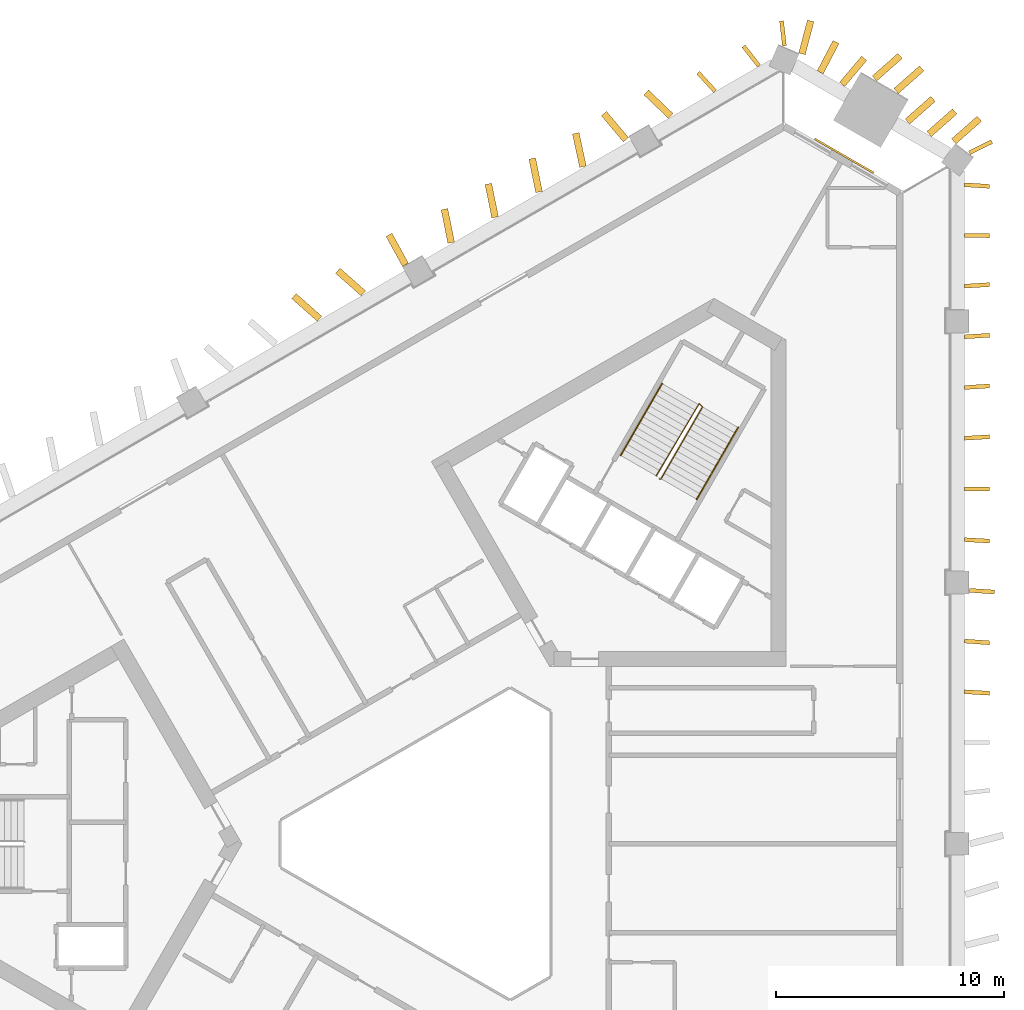
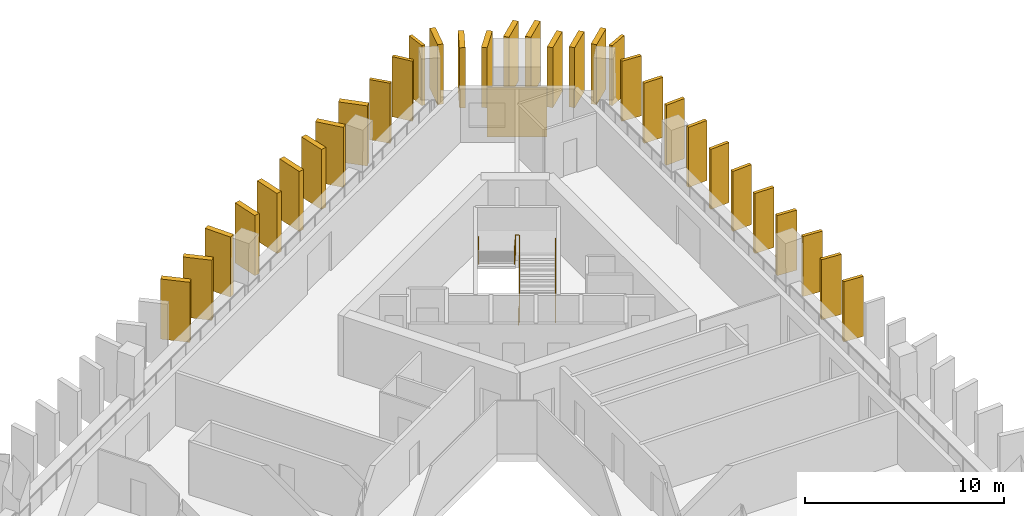
# One storey, part 10 of 10: 32 shading devices, 3 railings, 1 covering.
"""IFC4 building model written with IfcOpenShell, lengths in metres."""

from ifc_helpers import new_model, si_unit, direction, frame, frame_2d, origin, origin_2d, place, context, subcontext, project, spatial, rectangle, circle, extrude, material, layer, layer_set, type_object, element, save


model = new_model("IFC4")

# Units and contexts
model_context = context("Model", 3, precision=1e-05, world=origin(), true_north=direction((0.0, 1.0)))
body_context = subcontext(model_context, "Body", "Model", "MODEL_VIEW")
ifc_project = project(units=[si_unit("LENGTHUNIT", "METRE"), si_unit("AREAUNIT", "SQUARE_METRE"), si_unit("VOLUMEUNIT", "CUBIC_METRE"), si_unit("PLANEANGLEUNIT", "RADIAN"), si_unit("MASSUNIT", "GRAM", prefix="KILO")], contexts=[model_context])

# Site, building, storey
site_placement = place(None, origin())
site = spatial("IfcSite", under=ifc_project, at=site_placement, CompositionType="ELEMENT")
building_placement = place(site_placement, origin())
building = spatial("IfcBuilding", under=site, at=building_placement, Name="Jabali Bay Hotel Tower and Convention Centre", CompositionType="ELEMENT")
storey_placement = place(building_placement, frame((0.0, 0.0, 110.5)))
storey = spatial("IfcBuildingStorey", under=building, at=storey_placement, Name="L26", CompositionType="ELEMENT", Elevation=110.5)

# Shading devices
ifc_material_1 = material(Name="Precast concrete C60", Category="concrete")
ifc_layer_1 = layer(ifc_material_1, 0.179931640625)
ifc_layer_set_1 = layer_set([ifc_layer_1], Name="Precast concrete C60")
shading_device_type_1 = type_object("IfcShadingDeviceType", Name="Precast fin 3680 x 1100", PredefinedType="USERDEFINED", material=ifc_layer_set_1)
for number, where, z_axis, x_axis, name in (
    (1, (97.72265625, 86.677490234375, 0.010009765625), (0.0, 0.0, 1.0), (0.998162399296, -0.060595582612, 0.0), "Fin L26 016"),
    (2, (97.7236328125, 88.9033203125, 0.010009765625), (0.0, 0.0, 1.0), (0.997458699831, -0.071247049988, 0.0), "Fin L26 017"),
    (3, (97.930908203125, 91.129150390625, 0.010009765625), (0.0, 0.0, 1.0), (0.997720859623, -0.067476560918, 0.0), "Fin L26 018"),
    (4, (97.722412109375, 93.354736328125, 0.010009765625), (0.0, 0.0, 1.0), (0.998371695607, -0.057043469491, 0.0), "Fin L26 019"),
):
    element("IfcShadingDevice", number, at=place(storey_placement, frame(where, z_axis=z_axis, x_axis=x_axis)), inside=storey, type_object=shading_device_type_1, Name=name, ObjectType="FIN", PredefinedType="USERDEFINED", context=body_context, shape_type="SweptSolid", body=[
        extrude(rectangle(XDim=1.099853515625, YDim=0.179931640625, at=frame_2d((0.5498046875, 0.0))), origin(), (0.0, 0.0, 1.0), 3.679931640625),
    ])
shading_device_1_placement = place(storey_placement, frame((97.71728515625, 95.58056640625, 0.010009765625), z_axis=(0.0, 0.0, 1.0), x_axis=(0.99999960599, -0.000887704932, 0.0)))
element("IfcShadingDevice", 5, at=shading_device_1_placement, inside=storey, type_object=shading_device_type_1, Name="Fin L26 020", ObjectType="FIN", PredefinedType="USERDEFINED", context=body_context, shape_type="SweptSolid", body=[
    extrude(rectangle(XDim=1.10009765625, YDim=0.179931640625, at=frame_2d((0.550048828125, 0.0))), origin(), (0.0, 0.0, 1.0), 3.679931640625),
])
shading_device_2_placement = place(storey_placement, frame((97.72265625, 97.806396484375, 0.010009765625), z_axis=(0.0, 0.0, 1.0), x_axis=(0.998175800169, 0.06037443132, 0.0)))
element("IfcShadingDevice", 6, at=shading_device_2_placement, inside=storey, type_object=shading_device_type_1, Name="Fin L26 021", ObjectType="FIN", PredefinedType="USERDEFINED", context=body_context, shape_type="SweptSolid", body=[
    extrude(rectangle(XDim=1.099853515625, YDim=0.179931640625, at=frame_2d((0.5498046875, 0.0))), origin(), (0.0, 0.0, 1.0), 3.679931640625),
])
for number, where, z_axis, x_axis, name in (
    (7, (97.72314453125, 100.0322265625, 0.010009765625), (0.0, 0.0, 1.0), (0.997868810902, 0.06525209751, 0.0), "Fin L26 022"),
    (8, (97.72314453125, 102.258056640625, 0.010009765625), (0.0, 0.0, 1.0), (0.997868810902, 0.06525209751, 0.0), "Fin L26 023"),
    (9, (97.72265625, 104.48388671875, 0.010009765625), (0.0, 0.0, 1.0), (0.998094665527, 0.061701204584, 0.0), "Fin L26 024"),
):
    element("IfcShadingDevice", number, at=place(storey_placement, frame(where, z_axis=z_axis, x_axis=x_axis)), inside=storey, type_object=shading_device_type_1, Name=name, ObjectType="FIN", PredefinedType="USERDEFINED", context=body_context, shape_type="SweptSolid", body=[
        extrude(rectangle(XDim=1.10009765625, YDim=0.179931640625, at=frame_2d((0.550048828125, 0.0))), origin(), (0.0, 0.0, 1.0), 3.679931640625),
    ])
shading_device_3_placement = place(storey_placement, frame((97.71826171875, 106.709716796875, 0.010009765625), z_axis=(0.0, 0.0, 1.0), x_axis=(0.999943242153, -0.010654223224, 0.0)))
element("IfcShadingDevice", 10, at=shading_device_3_placement, inside=storey, type_object=shading_device_type_1, Name="Fin L26 025", ObjectType="FIN", PredefinedType="USERDEFINED", context=body_context, shape_type="SweptSolid", body=[
    extrude(rectangle(XDim=1.099853515625, YDim=0.179931640625, at=frame_2d((0.5498046875, 0.0))), origin(), (0.0, 0.0, 1.0), 3.679931640625),
])
shading_device_4_placement = place(storey_placement, frame((97.72314453125, 108.935546875, 0.010009765625), z_axis=(0.0, 0.0, 1.0), x_axis=(0.997839810713, -0.065694080065, 0.0)))
element("IfcShadingDevice", 11, at=shading_device_4_placement, inside=storey, type_object=shading_device_type_1, Name="Fin L26 026", ObjectType="FIN", PredefinedType="USERDEFINED", context=body_context, shape_type="SweptSolid", body=[
    extrude(rectangle(XDim=1.10009765625, YDim=0.179931640625, at=frame_2d((0.550048828125, 0.0))), origin(), (0.0, 0.0, 1.0), 3.679931640625),
])
shading_device_5_placement = place(storey_placement, frame((88.694091796875, 114.15234375, 0.010009765625), z_axis=(0.0, 0.0, 1.0), x_axis=(-0.61572157077, 0.787963798209, 0.0)))
element("IfcShadingDevice", 12, at=shading_device_5_placement, inside=storey, type_object=shading_device_type_1, Name="Fin L26 035", ObjectType="FIN", PredefinedType="USERDEFINED", context=body_context, shape_type="SweptSolid", body=[
    extrude(rectangle(XDim=1.099853515625, YDim=0.179931640625, at=frame_2d((0.5498046875, 0.0))), origin(), (0.0, 0.0, 1.0), 3.679931640625),
])
for number, where, z_axis, x_axis, name in (
    (13, (86.762939453125, 113.045166015625, 0.010009765625), (0.0, 0.0, 1.0), (-0.674427212121, 0.738341340811, 0.0), "Fin L26 036"),
    (14, (97.934326171875, 110.3427734375, 0.010009765625), (0.0, 0.0, 1.0), (0.89729376603, 0.441433910619, 0.0), "Fin L26 106"),
):
    element("IfcShadingDevice", number, at=place(storey_placement, frame(where, z_axis=z_axis, x_axis=x_axis)), inside=storey, type_object=shading_device_type_1, Name=name, ObjectType="FIN", PredefinedType="USERDEFINED", context=body_context, shape_type="SweptSolid", body=[
        extrude(rectangle(XDim=1.10009765625, YDim=0.179931640625, at=frame_2d((0.550048828125, 0.0))), origin(), (0.0, 0.0, 1.0), 3.679931640625),
    ])
shading_device_6_placement = place(storey_placement, frame((89.810302734375, 115.037109375, 0.010009765625), z_axis=(0.0, 0.0, 1.0), x_axis=(-0.11186874861, 0.993722991122, 0.0)))
element("IfcShadingDevice", 15, at=shading_device_6_placement, inside=storey, type_object=shading_device_type_1, Name="Fin L26 107", ObjectType="FIN", PredefinedType="USERDEFINED", context=body_context, shape_type="SweptSolid", body=[
    extrude(rectangle(XDim=1.099853515625, YDim=0.179931640625, at=frame_2d((0.5498046875, 0.0))), origin(), (0.0, 0.0, 1.0), 3.679931640625),
])
ifc_layer_2 = layer(ifc_material_1, 0.300048828125)
ifc_layer_set_2 = layer_set([ifc_layer_2], Name="Precast concrete C60")
shading_device_type_2 = type_object("IfcShadingDeviceType", Name="Precast fin 3680 x 1500", PredefinedType="USERDEFINED", material=ifc_layer_set_2)
for number, where, z_axis, x_axis, name in (
    (16, (97.248291015625, 110.841796875, 0.010009765625), (0.0, 0.0, 1.0), (0.749605089459, 0.661885344948, 0.0), "Fin L26 027"),
    (17, (96.164306640625, 111.162353515625, 0.010009765625), (0.0, 0.0, 1.0), (0.749605089459, 0.661885344948, 0.0), "Fin L26 028"),
    (18, (95.21240234375, 111.7119140625, 0.010009765625), (0.0, 0.0, 1.0), (0.749605089459, 0.661885344948, 0.0), "Fin L26 029"),
):
    element("IfcShadingDevice", number, at=place(storey_placement, frame(where, z_axis=z_axis, x_axis=x_axis)), inside=storey, type_object=shading_device_type_2, Name=name, ObjectType="FIN", PredefinedType="USERDEFINED", context=body_context, shape_type="SweptSolid", body=[
        extrude(rectangle(XDim=1.500244140625, YDim=0.300048828125, at=frame_2d((0.75, 0.0))), origin(), (0.0, 0.0, 1.0), 3.679931640625),
    ])
shading_device_7_placement = place(storey_placement, frame((94.717041015625, 113.0517578125, 0.010009765625), z_axis=(0.0, 0.0, 1.0), x_axis=(0.749614540616, 0.661874641074, 0.0)))
element("IfcShadingDevice", 19, at=shading_device_7_placement, inside=storey, type_object=shading_device_type_2, Name="Fin L26 030", ObjectType="FIN", PredefinedType="USERDEFINED", context=body_context, shape_type="SweptSolid", body=[
    extrude(rectangle(XDim=1.499755859375, YDim=0.300048828125, at=frame_2d((0.75, 0.0))), origin(), (0.0, 0.0, 1.0), 3.679931640625),
])
shading_device_8_placement = place(storey_placement, frame((93.76513671875, 113.601318359375, 0.010009765625), z_axis=(0.0, 0.0, 1.0), x_axis=(0.749685839111, 0.66179388229, 0.0)))
element("IfcShadingDevice", 20, at=shading_device_8_placement, inside=storey, type_object=shading_device_type_2, Name="Fin L26 031", ObjectType="FIN", PredefinedType="USERDEFINED", context=body_context, shape_type="SweptSolid", body=[
    extrude(rectangle(XDim=1.5, YDim=0.300048828125, at=frame_2d((0.75, 0.0))), origin(), (0.0, 0.0, 1.0), 3.679931640625),
])
shading_device_9_placement = place(storey_placement, frame((92.346435546875, 113.342041015625, 0.010009765625), z_axis=(0.0, 0.0, 1.0), x_axis=(0.645117481943, 0.764083394985, 0.0)))
element("IfcShadingDevice", 21, at=shading_device_9_placement, inside=storey, type_object=shading_device_type_2, Name="Fin L26 032", ObjectType="FIN", PredefinedType="USERDEFINED", context=body_context, shape_type="SweptSolid", body=[
    extrude(rectangle(XDim=1.500244140625, YDim=0.300048828125, at=frame_2d((0.75, 0.0))), origin(), (0.0, 0.0, 1.0), 3.679931640625),
])
for number, where, z_axis, x_axis, name in (
    (22, (91.384521484375, 113.874267578125, 0.010009765625), (0.0, 0.0, 1.0), (0.462382445756, 0.886680592918, 0.0), "Fin L26 033"),
    (23, (90.581298828125, 114.680908203125, 0.010009765625), (0.0, 0.0, 1.0), (0.255838880915, 0.96671943552, 0.0), "Fin L26 034"),
    (24, (84.82421875, 111.951904296875, 0.010009765625), (0.0, 0.0, 1.0), (-0.721523913232, 0.692389516555, 0.0), "Fin L26 037"),
    (25, (82.85400390625, 110.912841796875, 0.010009765625), (0.0, 0.0, 1.0), (-0.643524096369, 0.765425853622, 0.0), "Fin L26 038"),
):
    element("IfcShadingDevice", number, at=place(storey_placement, frame(where, z_axis=z_axis, x_axis=x_axis)), inside=storey, type_object=shading_device_type_2, Name=name, ObjectType="FIN", PredefinedType="USERDEFINED", context=body_context, shape_type="SweptSolid", body=[
        extrude(rectangle(XDim=1.5, YDim=0.300048828125, at=frame_2d((0.75, 0.0))), origin(), (0.0, 0.0, 1.0), 3.679931640625),
    ])
shading_device_10_placement = place(storey_placement, frame((80.966796875, 109.729736328125, 0.010009765625), z_axis=(0.0, 0.0, 1.0), x_axis=(-0.210151588234, 0.977668814048, 0.0)))
element("IfcShadingDevice", 26, at=shading_device_10_placement, inside=storey, type_object=shading_device_type_2, Name="Fin L26 039", ObjectType="FIN", PredefinedType="USERDEFINED", context=body_context, shape_type="SweptSolid", body=[
    extrude(rectangle(XDim=1.499755859375, YDim=0.300048828125, at=frame_2d((0.75, 0.0))), origin(), (0.0, 0.0, 1.0), 3.679931640625),
])
shading_device_11_placement = place(storey_placement, frame((79.03857421875, 108.6181640625, 0.010009765625), z_axis=(0.0, 0.0, 1.0), x_axis=(-0.19937007629, 0.979924268849, 0.0)))
element("IfcShadingDevice", 27, at=shading_device_11_placement, inside=storey, type_object=shading_device_type_2, Name="Fin L26 040", ObjectType="FIN", PredefinedType="USERDEFINED", context=body_context, shape_type="SweptSolid", body=[
    extrude(rectangle(XDim=1.5, YDim=0.300048828125, at=frame_2d((0.75, 0.0))), origin(), (0.0, 0.0, 1.0), 3.679931640625),
])
shading_device_12_placement = place(storey_placement, frame((77.11083984375, 107.50537109375, 0.010009765625), z_axis=(0.0, 0.0, 1.0), x_axis=(-0.19858847642, 0.980082964362, 0.0)))
element("IfcShadingDevice", 28, at=shading_device_12_placement, inside=storey, type_object=shading_device_type_2, Name="Fin L26 041", ObjectType="FIN", PredefinedType="USERDEFINED", context=body_context, shape_type="SweptSolid", body=[
    extrude(rectangle(XDim=1.499755859375, YDim=0.300048828125, at=frame_2d((0.75, 0.0))), origin(), (0.0, 0.0, 1.0), 3.679931640625),
])
shading_device_13_placement = place(storey_placement, frame((75.18310546875, 106.392333984375, 0.010009765625), z_axis=(0.0, 0.0, 1.0), x_axis=(-0.198400456872, 0.980121042889, 0.0)))
element("IfcShadingDevice", 29, at=shading_device_13_placement, inside=storey, type_object=shading_device_type_2, Name="Fin L26 042", ObjectType="FIN", PredefinedType="USERDEFINED", context=body_context, shape_type="SweptSolid", body=[
    extrude(rectangle(XDim=1.5, YDim=0.300048828125, at=frame_2d((0.75, 0.0))), origin(), (0.0, 0.0, 1.0), 3.679931640625),
])
shading_device_14_placement = place(storey_placement, frame((73.174072265625, 105.420654296875, 0.010009765625), z_axis=(0.0, 0.0, 1.0), x_axis=(-0.480743815977, 0.876861096982, 0.0)))
element("IfcShadingDevice", 30, at=shading_device_14_placement, inside=storey, type_object=shading_device_type_2, Name="Fin L26 043", ObjectType="FIN", PredefinedType="USERDEFINED", context=body_context, shape_type="SweptSolid", body=[
    extrude(rectangle(XDim=1.500244140625, YDim=0.300048828125, at=frame_2d((0.75, 0.0))), origin(), (0.0, 0.0, 1.0), 3.679931640625),
])
shading_device_15_placement = place(storey_placement, frame((71.327880859375, 104.166748046875, 0.010009765625), z_axis=(0.0, 0.0, 1.0), x_axis=(-0.749614540616, 0.661874641074, 0.0)))
element("IfcShadingDevice", 31, at=shading_device_15_placement, inside=storey, type_object=shading_device_type_2, Name="Fin L26 044", ObjectType="FIN", PredefinedType="USERDEFINED", context=body_context, shape_type="SweptSolid", body=[
    extrude(rectangle(XDim=1.499755859375, YDim=0.300048828125, at=frame_2d((0.75, 0.0))), origin(), (0.0, 0.0, 1.0), 3.679931640625),
])
shading_device_16_placement = place(storey_placement, frame((69.400390625, 103.0537109375, 0.010009765625), z_axis=(0.0, 0.0, 1.0), x_axis=(-0.749605089459, 0.661885344948, 0.0)))
element("IfcShadingDevice", 32, at=shading_device_16_placement, inside=storey, type_object=shading_device_type_2, Name="Fin L26 045", ObjectType="FIN", PredefinedType="USERDEFINED", context=body_context, shape_type="SweptSolid", body=[
    extrude(rectangle(XDim=1.500244140625, YDim=0.300048828125, at=frame_2d((0.75, 0.0))), origin(), (0.0, 0.0, 1.0), 3.679931640625),
])

# Covering
ifc_material_2 = material(Name="Precast concrete C40/50", Category="concrete")
ifc_layer_3 = layer(ifc_material_2, 0.080078125)
ifc_layer_set_3 = layer_set([ifc_layer_3], Name="Precast concrete C40/50")
covering_type = type_object("IfcCoveringType", Name="Relief panel 3000 x 3050", PredefinedType="CLADDING", material=ifc_layer_set_3)
covering_placement = place(storey_placement, frame((92.4375, 110.20263671875, 0.10009765625), z_axis=(0.0, 0.0, 1.0), x_axis=(0.866025426683, -0.499999960338, 0.0)))
element("IfcCovering", 33, at=covering_placement, inside=storey, type_object=covering_type, Name="Relief panel L26", PredefinedType="CLADDING", context=body_context, shape_type="SweptSolid", body=[
    extrude(rectangle(XDim=3.0, YDim=0.080078125, at=origin_2d()), origin(), (0.0, 0.0, 1.0), 3.050048828125),
])

# Railings
ifc_material_3 = material(Name="Steel Q355B", Category="steel")
railing_type_1 = type_object("IfcRailingType", Name="Stair guard 1100", PredefinedType="GUARDRAIL", material=ifc_material_3)
railing_1_placement = place(storey_placement, frame((84.329833984375, 96.010009765625, 0.0)))
element("IfcRailing", 34, at=railing_1_placement, inside=storey, type_object=railing_type_1, Name="L26 ST2 stair guard 1", PredefinedType="GUARDRAIL", context=body_context, shape_type="SweptSolid", body=[
    extrude(circle(Radius=0.02392578125, at=origin_2d()), frame((0.0, 0.0, 1.076171875), z_axis=(0.456201556387, 0.122196845461, 0.881446578591), x_axis=(-0.258736085224, 0.965948051503, 0.0)), (0.0, 0.0, 1.0), 0.14990234375),
    extrude(circle(Radius=0.02392578125, at=origin_2d()), frame((0.068359375, 0.018310546875, 1.2080078125), z_axis=(0.45217862506, 0.783169739339, 0.426825081763), x_axis=(-0.866018046521, 0.500012742938, 0.0)), (0.0, 0.0, 1.0), 4.025146484375),
    extrude(circle(Radius=0.02392578125, at=origin_2d()), frame((1.888427734375, 3.170654296875, 2.92626953125), z_axis=(-0.718850276695, 0.695164929852, 0.0), x_axis=(-0.695164929852, -0.718850276695, 0.0)), (0.0, 0.0, 1.0), 0.2060546875),
    extrude(circle(Radius=0.02392578125, at=origin_2d()), frame((1.740234375, 3.31396484375, 2.92626953125), z_axis=(-0.457457462341, -0.768067235091, 0.448113147015), x_axis=(0.859157857954, -0.511710636118, 0.0)), (0.0, 0.0, 1.0), 4.128173828125),
    extrude(circle(Radius=0.02099609375, at=origin_2d()), origin(), (0.0, 0.0, 1.0), 1.052001953125),
    extrude(circle(Radius=0.02099609375, at=origin_2d()), frame((0.068359375, 0.018310546875, 0.132080078125)), (0.0, 0.0, 1.0), 1.052001953125),
    extrude(circle(Radius=0.02099609375, at=origin_2d()), frame((0.5234375, 0.806396484375, 0.5615234375)), (0.0, 0.0, 1.0), 1.052001953125),
    extrude(circle(Radius=0.02099609375, at=origin_2d()), frame((0.978515625, 1.594482421875, 0.9912109375)), (0.0, 0.0, 1.0), 1.052001953125),
    extrude(circle(Radius=0.02099609375, at=origin_2d()), frame((1.433349609375, 2.382568359375, 1.420654296875)), (0.0, 0.0, 1.0), 1.052001953125),
    extrude(circle(Radius=0.02099609375, at=origin_2d()), frame((1.888427734375, 3.170654296875, 1.85009765625)), (0.0, 0.0, 1.0), 1.052001953125),
    extrude(circle(Radius=0.02099609375, at=origin_2d()), frame((1.740234375, 3.31396484375, 1.85009765625)), (0.0, 0.0, 1.0), 1.052001953125),
    extrude(circle(Radius=0.02099609375, at=origin_2d()), frame((1.26806640625, 2.521240234375, 2.3125)), (0.0, 0.0, 1.0), 1.052001953125),
    extrude(circle(Radius=0.02099609375, at=origin_2d()), frame((0.7958984375, 1.728515625, 2.77490234375)), (0.0, 0.0, 1.0), 1.052001953125),
    extrude(circle(Radius=0.02099609375, at=origin_2d()), frame((0.323974609375, 0.93603515625, 3.237548828125)), (0.0, 0.0, 1.0), 1.052001953125),
    extrude(circle(Radius=0.02099609375, at=origin_2d()), frame((-0.148193359375, 0.143310546875, 3.699951171875)), (0.0, 0.0, 1.0), 1.052001953125),
])
railing_type_2 = type_object("IfcRailingType", Name="Stair handrail 900", PredefinedType="HANDRAIL", material=ifc_material_3)
railing_2_placement = place(storey_placement, frame((85.95703125, 95.128173828125, 0.132080078125)))
element("IfcRailing", 35, at=railing_2_placement, inside=storey, type_object=railing_type_2, Name="L26 ST2 stair handrail 1", PredefinedType="HANDRAIL", context=body_context, shape_type="SweptSolid", body=[
    extrude(circle(Radius=0.02392578125, at=origin_2d()), frame((0.0, 0.0, 0.8759765625), z_axis=(0.45217862506, 0.783169739339, 0.426825081763), x_axis=(-0.866018046521, 0.500012742938, 0.0)), (0.0, 0.0, 1.0), 4.025146484375),
    extrude(circle(Radius=0.02099609375, at=origin_2d()), origin(), (0.0, 0.0, 1.0), 0.851806640625),
    extrude(circle(Radius=0.02099609375, at=origin_2d()), frame((0.455078125, 0.7880859375, 0.429443359375)), (0.0, 0.0, 1.0), 0.851806640625),
    extrude(circle(Radius=0.02099609375, at=origin_2d()), frame((0.91015625, 1.576171875, 0.85888671875)), (0.0, 0.0, 1.0), 0.851806640625),
    extrude(circle(Radius=0.02099609375, at=origin_2d()), frame((1.364990234375, 2.3642578125, 1.28857421875)), (0.0, 0.0, 1.0), 0.851806640625),
    extrude(circle(Radius=0.02099609375, at=origin_2d()), frame((1.820068359375, 3.15234375, 1.718017578125)), (0.0, 0.0, 1.0), 0.851806640625),
])
railing_3_placement = place(storey_placement, frame((84.44287109375, 100.20556640625, 1.982177734375)))
element("IfcRailing", 36, at=railing_3_placement, inside=storey, type_object=railing_type_2, Name="L26 ST2 stair handrail 2", PredefinedType="HANDRAIL", context=body_context, shape_type="SweptSolid", body=[
    extrude(circle(Radius=0.02392578125, at=origin_2d()), frame((0.0, 0.0, 0.8759765625), z_axis=(-0.452190331055, -0.783190014029, 0.426775475427), x_axis=(0.866018046521, -0.500012742938, 0.0)), (0.0, 0.0, 1.0), 4.02490234375),
    extrude(circle(Radius=0.02099609375, at=origin_2d()), origin(), (0.0, 0.0, 1.0), 0.851806640625),
    extrude(circle(Radius=0.02099609375, at=origin_2d()), frame((-0.455078125, -0.7880859375, 0.429443359375)), (0.0, 0.0, 1.0), 0.851806640625),
    extrude(circle(Radius=0.02099609375, at=origin_2d()), frame((-0.91015625, -1.576171875, 0.85888671875)), (0.0, 0.0, 1.0), 0.851806640625),
    extrude(circle(Radius=0.02099609375, at=origin_2d()), frame((-1.364990234375, -2.3642578125, 1.288330078125)), (0.0, 0.0, 1.0), 0.851806640625),
    extrude(circle(Radius=0.02099609375, at=origin_2d()), frame((-1.820068359375, -3.15234375, 1.7177734375)), (0.0, 0.0, 1.0), 0.851806640625),
])

save(model, "model.ifc")
